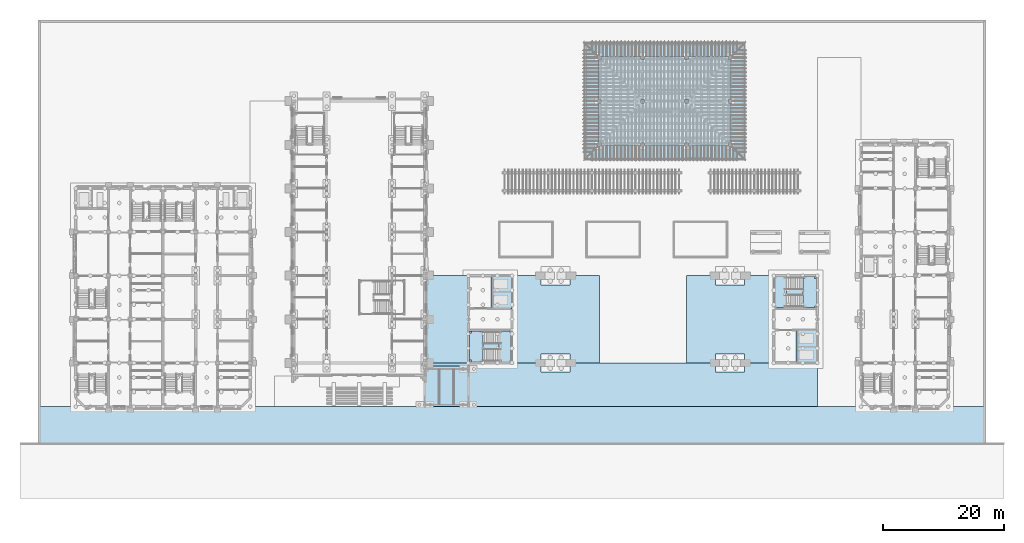
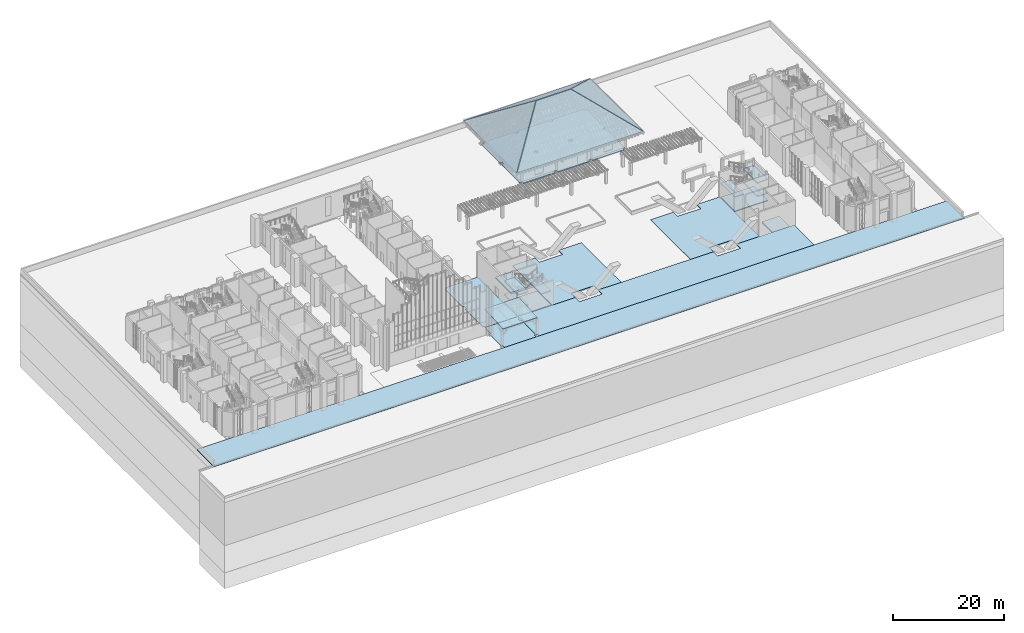
# One storey, part 26 of 84: 22 slabs, 2 elements without a shape of their own.
"""IFC4 building model written with IfcOpenShell, lengths in metres."""

from ifc_helpers import new_model, si_unit, direction, frame, origin, place, context, subcontext, project, spatial, polyline, outline, extrude, material, layer, layer_set, type_object, element, aggregate, save


model = new_model("IFC4")

# Units and contexts
model_context = context("Model", 3, precision=1e-05, world=origin(), true_north=direction((0.0, 1.0)))
body_context = subcontext(model_context, "Body", "Model", "MODEL_VIEW")
ifc_project = project(units=[si_unit("LENGTHUNIT", "METRE"), si_unit("AREAUNIT", "SQUARE_METRE"), si_unit("VOLUMEUNIT", "CUBIC_METRE"), si_unit("PLANEANGLEUNIT", "RADIAN"), si_unit("MASSUNIT", "GRAM", prefix="KILO")], contexts=[model_context])

# Site, building, storey
site_placement = place(None, origin())
site = spatial("IfcSite", under=ifc_project, at=site_placement, CompositionType="ELEMENT")
building_placement = place(site_placement, origin())
building = spatial("IfcBuilding", under=site, at=building_placement, Name="Mazhai Court Health Centre", CompositionType="ELEMENT")
storey_placement = place(building_placement, origin())
storey = spatial("IfcBuildingStorey", under=building, at=storey_placement, Name="L00", CompositionType="ELEMENT", Elevation=0.0)

# Slabs
ifc_material_1 = material(Name="CLT C24 3-ply", Category="wood")
ifc_layer_1 = layer(ifc_material_1, 0.10009765625)
ifc_layer_set_1 = layer_set([ifc_layer_1], Name="CLT C24 3-ply roof panel 100")
slab_type_1 = type_object("IfcSlabType", Name="CLT C24 3-ply roof panel 100", PredefinedType="ROOF", material=ifc_layer_set_1)
slab_1_placement = place(storey_placement, frame((90.25830078125, 47.0, 4.482177734375), z_axis=(0.0, -0.583061515545, 0.812428008558), x_axis=(1.0, 0.0, 0.0)))
element("IfcSlab", 1, at=slab_1_placement, inside=storey, type_object=slab_type_1, Name="Roof slab RV3-RS1", PredefinedType="ROOF", context=body_context, shape_type="SweptSolid", body=[
    extrude(outline(polyline([(0.0, 0.0), (26.283447265625, 0.0), (16.74169921875, 11.744730543948844), (9.541748046875, 11.744730543948844), (0.0, 0.0)])), origin(), (0.0, 0.0, -1.0), 0.10009765625),
])
slab_2_placement = place(storey_placement, frame((90.25830078125, 66.199951171875, 4.482177734375), z_axis=(0.0, 0.583061515545, 0.812428008558), x_axis=(0.630558967709, -0.630558967709, 0.452538149202)))
element("IfcSlab", 2, at=slab_2_placement, inside=storey, type_object=slab_type_1, Name="Roof slab RV3-RS2", PredefinedType="ROOF", context=body_context, shape_type="SweptSolid", body=[
    extrude(outline(polyline([(0.0, 0.0), (15.132205765849466, 8.881784197001252e-16), (19.672199544342543, 5.588179790292035), (16.5732633756478, 20.399670125918743), (0.0, 0.0)])), origin(), (0.0, 0.0, -1.0), 0.10009765625),
])
slab_3_placement = place(storey_placement, frame((99.74169921875, 56.60009765625, 11.330078125), z_axis=(-0.583061515545, 0.0, 0.812428008558), x_axis=(-0.630565382615, 0.630549248608, -0.452542753038)))
element("IfcSlab", 3, at=slab_3_placement, inside=storey, type_object=slab_type_1, Name="Roof slab RV3-RS3", PredefinedType="ROOF", context=body_context, shape_type="SweptSolid", body=[
    extrude(outline(polyline([(0.0, 0.0), (15.132051821975397, -1.3322676295501878e-15), (3.0991216419275904, 14.81145152875112), (0.0, 0.0)])), origin(), (0.0, 0.0, -1.0), 0.10009765625),
])
slab_4_placement = place(storey_placement, frame((116.60009765625, 66.1416015625, 4.482177734375), z_axis=(0.583061515545, 0.0, 0.812428008558), x_axis=(-0.630565382615, -0.630549248608, 0.452542753038)))
element("IfcSlab", 4, at=slab_4_placement, inside=storey, type_object=slab_type_1, Name="Roof slab RV3-RS4", PredefinedType="ROOF", context=body_context, shape_type="SweptSolid", body=[
    extrude(outline(polyline([(0.0, 0.0), (15.132051821975397, 1.3322676295501878e-15), (12.032930180047806, 14.81145152875112), (0.0, 0.0)])), origin(), (0.0, 0.0, -1.0), 0.10009765625),
])
ifc_material_2 = material(Name="CLT C24 5-ply", Category="wood")
ifc_layer_2 = layer(ifc_material_2, 0.179931640625)
ifc_layer_set_2 = layer_set([ifc_layer_2], Name="CLT C24 5-ply 180 roof panel")
slab_type_2 = type_object("IfcSlabType", Name="CLT C24 5-ply 180 roof panel", PredefinedType="ROOF", material=ifc_layer_set_2)
slab_5_placement = place(storey_placement, frame((63.81005859375, 6.199951171875, 4.179931640625), z_axis=(0.0, -0.055484125039, 0.998459569471), x_axis=(1.0, 0.0, 0.0)))
element("IfcSlab", 5, at=slab_5_placement, inside=storey, type_object=slab_type_2, Name="slab-AR-L00-00", PredefinedType="ROOF", context=body_context, shape_type="SweptSolid", body=[
    extrude(outline(polyline([(0.0, 0.0), (7.179931640625, 0.0), (7.179931640625, 6.710287904219531), (0.0, 6.710287904219531), (0.0, 0.0)])), origin(), (0.0, 0.0, -1.0), 0.179931640625),
])
ifc_material_3 = material(Name="Concrete M35", Category="concrete")
ifc_layer_3 = layer(ifc_material_3, 0.199951171875)
ifc_layer_set_3 = layer_set([ifc_layer_3], Name="GROUND SLAB 200 M35")
slab_type_3 = type_object("IfcSlabType", Name="GROUND SLAB 200 M35", PredefinedType="BASESLAB", material=ifc_layer_set_3)
slab_6_placement = place(storey_placement, frame((0.0, 0.0, -0.199951171875)))
element("IfcSlab", 6, at=slab_6_placement, inside=storey, type_object=slab_type_3, Name="slab-ground-V3", PredefinedType="BASESLAB", context=body_context, shape_type="SweptSolid", body=[
    extrude(outline(polyline([(107.300048828125, 49.235107421875), (107.300048828125, 49.699951171875), (106.699951171875, 49.699951171875), (106.699951171875, 49.235107421875), (100.10009765625, 49.235107421875), (100.10009765625, 49.699951171875), (99.5, 49.699951171875), (99.5, 49.235107421875), (92.89990234375, 49.235107421875), (92.89990234375, 49.699951171875), (92.43505859375, 49.699951171875), (92.43505859375, 56.300048828125), (92.89990234375, 56.300048828125), (92.89990234375, 56.89990234375), (92.43505859375, 56.89990234375), (92.43505859375, 63.5), (92.89990234375, 63.5), (92.89990234375, 63.965087890625), (99.5, 63.965087890625), (99.5, 63.5), (100.10009765625, 63.5), (100.10009765625, 63.965087890625), (106.699951171875, 63.965087890625), (106.699951171875, 63.5), (107.300048828125, 63.5), (107.300048828125, 63.965087890625), (113.89990234375, 63.965087890625), (113.89990234375, 63.5), (114.364990234375, 63.5), (114.364990234375, 56.89990234375), (113.89990234375, 56.89990234375), (113.89990234375, 56.300048828125), (114.364990234375, 56.300048828125), (114.364990234375, 49.699951171875), (113.89990234375, 49.699951171875), (113.89990234375, 49.235107421875), (107.300048828125, 49.235107421875)]), holes=[polyline([(99.5, 56.89990234375), (99.5, 56.300048828125), (100.10009765625, 56.300048828125), (100.10009765625, 56.89990234375), (99.5, 56.89990234375)]), polyline([(106.699951171875, 56.89990234375), (106.699951171875, 56.300048828125), (107.300048828125, 56.300048828125), (107.300048828125, 56.89990234375), (106.699951171875, 56.89990234375)])]), origin(), (0.0, 0.0, 1.0), 0.199951171875),
])
ifc_material_4 = material(Name="Concrete M30", Category="concrete")
ifc_layer_4 = layer(ifc_material_4, 0.1201171875)
ifc_layer_set_4 = layer_set([ifc_layer_4], Name="PAVING 120 CONCRETE M30")
slab_type_4 = type_object("IfcSlabType", Name="PAVING 120 CONCRETE M30", PredefinedType="BASESLAB", material=ifc_layer_set_4)
slab_7_placement = place(storey_placement, frame((0.0, 0.0, -0.1201171875)))
element("IfcSlab", 7, at=slab_7_placement, inside=storey, type_object=slab_type_4, Name="paving-undercroft-W", PredefinedType="BASESLAB", context=body_context, shape_type="SweptSolid", body=[
    extrude(outline(polyline([(92.60009765625, 13.39990234375), (87.800048828125, 13.39990234375), (87.800048828125, 14.89990234375), (83.0, 14.89990234375), (83.0, 13.39990234375), (78.199951171875, 13.39990234375), (78.199951171875, 27.800048828125), (83.0, 27.800048828125), (83.0, 26.300048828125), (87.800048828125, 26.300048828125), (87.800048828125, 27.800048828125), (92.60009765625, 27.800048828125), (92.60009765625, 13.39990234375)])), origin(), (0.0, 0.0, 1.0), 0.1201171875),
])
slab_8_placement = place(storey_placement, frame((0.0, 0.0, -0.1201171875)))
element("IfcSlab", 8, at=slab_8_placement, inside=storey, type_object=slab_type_4, Name="paving-undercroft-E", PredefinedType="BASESLAB", context=body_context, shape_type="SweptSolid", body=[
    extrude(outline(polyline([(121.39990234375, 13.39990234375), (116.60009765625, 13.39990234375), (116.60009765625, 14.89990234375), (111.800048828125, 14.89990234375), (111.800048828125, 13.39990234375), (107.0, 13.39990234375), (107.0, 27.800048828125), (111.800048828125, 27.800048828125), (111.800048828125, 26.300048828125), (116.60009765625, 26.300048828125), (116.60009765625, 27.800048828125), (121.39990234375, 27.800048828125), (121.39990234375, 13.39990234375)])), origin(), (0.0, 0.0, 1.0), 0.1201171875),
])
slab_9_placement = place(storey_placement, frame((0.0, 0.0, -0.1201171875)))
element("IfcSlab", 9, at=slab_9_placement, inside=storey, type_object=slab_type_4, Name="paving-arcade", PredefinedType="BASESLAB", context=body_context, shape_type="SweptSolid", body=[
    extrude(outline(polyline([(70.699951171875, 6.199951171875), (64.10009765625, 6.199951171875), (64.10009765625, 6.800048828125), (63.800048828125, 6.800048828125), (63.800048828125, 11.235107421875), (64.159912109375, 11.235107421875), (64.159912109375, 12.949951171875), (64.25, 12.949951171875), (64.25, 13.39990234375), (71.0, 13.39990234375), (71.0, 12.699951171875), (70.699951171875, 12.699951171875), (70.699951171875, 12.10009765625), (71.0, 12.10009765625), (71.0, 6.800048828125), (70.699951171875, 6.800048828125), (70.699951171875, 6.199951171875)])), origin(), (0.0, 0.0, 1.0), 0.1201171875),
])
slab_10_placement = place(storey_placement, frame((0.0, 0.0, -0.1201171875)))
element("IfcSlab", 10, at=slab_10_placement, inside=storey, type_object=slab_type_4, Name="paving-frontage", PredefinedType="BASESLAB", context=body_context, shape_type="SweptSolid", body=[
    extrude(outline(polyline([(128.60009765625, 6.199951171875), (71.300048828125, 6.199951171875), (71.300048828125, 6.800048828125), (71.0, 6.800048828125), (71.0, 12.10009765625), (71.300048828125, 12.10009765625), (71.300048828125, 12.699951171875), (71.0, 12.699951171875), (71.0, 13.39990234375), (83.0, 13.39990234375), (83.0, 11.89990234375), (87.800048828125, 11.89990234375), (87.800048828125, 13.39990234375), (111.800048828125, 13.39990234375), (111.800048828125, 11.89990234375), (116.60009765625, 11.89990234375), (116.60009765625, 13.39990234375), (128.60009765625, 13.39990234375), (128.60009765625, 6.199951171875)])), origin(), (0.0, 0.0, 1.0), 0.1201171875),
])
slab_11_placement = place(storey_placement, frame((0.0, 0.0, -0.1201171875)))
element("IfcSlab", 11, at=slab_11_placement, inside=storey, type_object=slab_type_4, Name="paving-P2", PredefinedType="BASESLAB", context=body_context, shape_type="SweptSolid", body=[
    extrude(outline(polyline([(71.0, 13.39990234375), (64.25, 13.39990234375), (64.25, 13.85009765625), (63.965087890625, 13.85009765625), (63.965087890625, 20.14990234375), (64.25, 20.14990234375), (64.25, 21.050048828125), (63.965087890625, 21.050048828125), (63.965087890625, 27.35009765625), (64.25, 27.35009765625), (64.25, 27.800048828125), (71.0, 27.800048828125), (71.0, 13.39990234375)])), origin(), (0.0, 0.0, 1.0), 0.1201171875),
])
slab_12_placement = place(storey_placement, frame((0.0, 0.0, -0.06201171875), z_axis=(0.0, -0.010001468634, 0.999949984062), x_axis=(1.0, 0.0, 0.0)))
element("IfcSlab", 12, at=slab_12_placement, inside=storey, type_object=slab_type_4, Name="paving-forecourt", PredefinedType="BASESLAB", context=body_context, shape_type="SweptSolid", body=[
    extrude(outline(polyline([(0.0, 0.0), (156.39990234375, 0.0), (156.39990234375, 6.200261283760267), (0.0, 6.200261283760267), (0.0, 0.0)])), origin(), (0.0, 0.0, -1.0), 0.1201171875),
])
ifc_material_5 = material(Name="Concrete M40", Category="concrete")
ifc_layer_5 = layer(ifc_material_5, 0.39990234375)
ifc_layer_set_5 = layer_set([ifc_layer_5], Name="RC LIFT PIT SLAB 400 M40")
slab_type_5 = type_object("IfcSlabType", Name="RC LIFT PIT SLAB 400 M40", PredefinedType="BASESLAB", material=ifc_layer_set_5)
slab_13_placement = place(storey_placement, frame((0.0, 0.0, -1.800048828125)))
element("IfcSlab", 13, at=slab_13_placement, inside=storey, type_object=slab_type_5, Name="core-C6-pit-slab", PredefinedType="BASESLAB", context=body_context, shape_type="SweptSolid", body=[
    extrude(outline(polyline([(74.75, 22.27490234375), (78.199951171875, 22.27490234375), (78.199951171875, 27.925048828125), (74.75, 27.925048828125), (74.75, 22.27490234375)])), origin(), (0.0, 0.0, 1.0), 0.400146484375),
])
slab_14_placement = place(storey_placement, frame((0.0, 0.0, -1.800048828125)))
element("IfcSlab", 14, at=slab_14_placement, inside=storey, type_object=slab_type_5, Name="core-C7-pit-slab", PredefinedType="BASESLAB", context=body_context, shape_type="SweptSolid", body=[
    extrude(outline(polyline([(125.110107421875, 13.27490234375), (128.72509765625, 13.27490234375), (128.72509765625, 18.925048828125), (125.110107421875, 18.925048828125), (125.110107421875, 13.27490234375)])), origin(), (0.0, 0.0, 1.0), 0.400146484375),
])
ifc_material_6 = material(Name="Concrete M40", Category="concrete")
ifc_layer_6 = layer(ifc_material_6, 0.199951171875)
ifc_layer_set_6 = layer_set([ifc_layer_6], Name="RC STAIR GROUND SLAB 200 M40")
slab_type_6 = type_object("IfcSlabType", Name="RC STAIR GROUND SLAB 200 M40", PredefinedType="BASESLAB", material=ifc_layer_set_6)
slab_15_placement = place(storey_placement, frame((0.0, 0.0, -0.199951171875)))
element("IfcSlab", 15, at=slab_15_placement, inside=storey, type_object=slab_type_6, Name="core-C6-stair-ground-slab", PredefinedType="BASESLAB", context=body_context, shape_type="SweptSolid", body=[
    extrude(outline(polyline([(71.1650390625, 13.56494140625), (78.074951171875, 13.56494140625), (78.074951171875, 18.675048828125), (71.1650390625, 18.675048828125), (71.1650390625, 13.56494140625)])), origin(), (0.0, 0.0, 1.0), 0.199951171875),
])
slab_16_placement = place(storey_placement, frame((0.0, 0.0, -0.199951171875)))
element("IfcSlab", 16, at=slab_16_placement, inside=storey, type_object=slab_type_6, Name="core-C7-stair-ground-slab", PredefinedType="BASESLAB", context=body_context, shape_type="SweptSolid", body=[
    extrude(outline(polyline([(121.52490234375, 22.52490234375), (128.43505859375, 22.52490234375), (128.43505859375, 27.635009765625), (121.52490234375, 27.635009765625), (121.52490234375, 22.52490234375)])), origin(), (0.0, 0.0, 1.0), 0.199951171875),
])

# Stair, slabs
ifc_material_7 = material(Name="Concrete M40", Category="concrete")
stair_type = type_object("IfcStairType", Name="RC STAIR 2000 42R", PredefinedType="DOUBLE_RETURN_STAIR", material=ifc_material_7)
stair_1_placement = place(storey_placement, origin())
stair_1 = element("IfcStair", 17, at=stair_1_placement, inside=storey, type_object=stair_type, Name="L00 Stair 6", PredefinedType="DOUBLE_RETURN_STAIR")
ifc_material_8 = material(Name="Concrete M40", Category="concrete")
ifc_layer_7 = layer(ifc_material_8, 0.199951171875)
ifc_layer_set_7 = layer_set([ifc_layer_7], Name="RC STAIR LANDING 200 M40")
slab_type_7 = type_object("IfcSlabType", Name="RC STAIR LANDING 200 M40", PredefinedType="LANDING", material=ifc_layer_set_7)
slab_17_placement = place(storey_placement, frame((0.0, 0.0, 1.449951171875)))
slab_17 = element("IfcSlab", 18, at=slab_17_placement, type_object=slab_type_7, Name="ST6 landing 1", PredefinedType="LANDING", context=body_context, shape_type="SweptSolid", body=[
    extrude(outline(polyline([(73.375, 18.675048828125), (71.1650390625, 18.675048828125), (71.1650390625, 13.56494140625), (73.375, 13.56494140625), (73.375, 18.675048828125)]), holes=[polyline([(71.264892578125, 13.655029296875), (71.47509765625, 13.655029296875), (71.47509765625, 13.864990234375), (71.264892578125, 13.864990234375), (71.264892578125, 13.655029296875)]), polyline([(71.264892578125, 18.375), (71.47509765625, 18.375), (71.47509765625, 18.5849609375), (71.264892578125, 18.5849609375), (71.264892578125, 18.375)]), polyline([(73.06494140625, 13.655029296875), (73.27490234375, 13.655029296875), (73.27490234375, 13.864990234375), (73.06494140625, 13.864990234375), (73.06494140625, 13.655029296875)]), polyline([(73.06494140625, 18.375), (73.27490234375, 18.375), (73.27490234375, 18.5849609375), (73.06494140625, 18.5849609375), (73.06494140625, 18.375)])]), origin(), (0.0, 0.0, 1.0), 0.199951171875),
])
slab_18_placement = place(storey_placement, frame((0.0, 0.0, 2.949951171875)))
slab_18 = element("IfcSlab", 19, at=slab_18_placement, type_object=slab_type_7, Name="ST6 landing 2", PredefinedType="LANDING", context=body_context, shape_type="SweptSolid", body=[
    extrude(outline(polyline([(78.074951171875, 18.675048828125), (76.074951171875, 18.675048828125), (76.074951171875, 13.56494140625), (78.074951171875, 13.56494140625), (78.074951171875, 18.675048828125)])), origin(), (0.0, 0.0, 1.0), 0.199951171875),
])
slab_19_placement = place(storey_placement, frame((0.0, 0.0, 4.449951171875)))
slab_19 = element("IfcSlab", 20, at=slab_19_placement, type_object=slab_type_7, Name="ST6 landing 3", PredefinedType="LANDING", context=body_context, shape_type="SweptSolid", body=[
    extrude(outline(polyline([(73.375, 18.675048828125), (71.1650390625, 18.675048828125), (71.1650390625, 13.56494140625), (73.375, 13.56494140625), (73.375, 18.675048828125)]), holes=[polyline([(71.264892578125, 13.655029296875), (71.47509765625, 13.655029296875), (71.47509765625, 13.864990234375), (71.264892578125, 13.864990234375), (71.264892578125, 13.655029296875)]), polyline([(71.264892578125, 18.375), (71.47509765625, 18.375), (71.47509765625, 18.5849609375), (71.264892578125, 18.5849609375), (71.264892578125, 18.375)])]), origin(), (0.0, 0.0, 1.0), 0.199951171875),
])
aggregate(stair_1, [slab_17, slab_18, slab_19])

stair_2_placement = place(storey_placement, origin())
stair_2 = element("IfcStair", 21, at=stair_2_placement, inside=storey, type_object=stair_type, Name="L00 Stair 7", PredefinedType="DOUBLE_RETURN_STAIR")
slab_20_placement = place(storey_placement, frame((0.0, 0.0, 1.449951171875)))
slab_20 = element("IfcSlab", 22, at=slab_20_placement, type_object=slab_type_7, Name="ST7 landing 1", PredefinedType="LANDING", context=body_context, shape_type="SweptSolid", body=[
    extrude(outline(polyline([(126.22509765625, 22.52490234375), (128.43505859375, 22.52490234375), (128.43505859375, 27.635009765625), (126.22509765625, 27.635009765625), (126.22509765625, 22.52490234375)]), holes=[polyline([(126.31494140625, 22.614990234375), (126.52490234375, 22.614990234375), (126.52490234375, 22.824951171875), (126.31494140625, 22.824951171875), (126.31494140625, 22.614990234375)]), polyline([(126.31494140625, 27.3349609375), (126.52490234375, 27.3349609375), (126.52490234375, 27.544921875), (126.31494140625, 27.544921875), (126.31494140625, 27.3349609375)]), polyline([(128.135009765625, 22.614990234375), (128.344970703125, 22.614990234375), (128.344970703125, 22.824951171875), (128.135009765625, 22.824951171875), (128.135009765625, 22.614990234375)]), polyline([(128.135009765625, 27.3349609375), (128.344970703125, 27.3349609375), (128.344970703125, 27.544921875), (128.135009765625, 27.544921875), (128.135009765625, 27.3349609375)])]), origin(), (0.0, 0.0, 1.0), 0.199951171875),
])
slab_21_placement = place(storey_placement, frame((0.0, 0.0, 2.949951171875)))
slab_21 = element("IfcSlab", 23, at=slab_21_placement, type_object=slab_type_7, Name="ST7 landing 2", PredefinedType="LANDING", context=body_context, shape_type="SweptSolid", body=[
    extrude(outline(polyline([(121.52490234375, 22.52490234375), (123.52490234375, 22.52490234375), (123.52490234375, 27.635009765625), (121.52490234375, 27.635009765625), (121.52490234375, 22.52490234375)])), origin(), (0.0, 0.0, 1.0), 0.199951171875),
])
slab_22_placement = place(storey_placement, frame((0.0, 0.0, 4.449951171875)))
slab_22 = element("IfcSlab", 24, at=slab_22_placement, type_object=slab_type_7, Name="ST7 landing 3", PredefinedType="LANDING", context=body_context, shape_type="SweptSolid", body=[
    extrude(outline(polyline([(126.22509765625, 22.52490234375), (128.43505859375, 22.52490234375), (128.43505859375, 27.635009765625), (126.22509765625, 27.635009765625), (126.22509765625, 22.52490234375)]), holes=[polyline([(128.135009765625, 22.614990234375), (128.344970703125, 22.614990234375), (128.344970703125, 22.824951171875), (128.135009765625, 22.824951171875), (128.135009765625, 22.614990234375)]), polyline([(128.135009765625, 27.3349609375), (128.344970703125, 27.3349609375), (128.344970703125, 27.544921875), (128.135009765625, 27.544921875), (128.135009765625, 27.3349609375)])]), origin(), (0.0, 0.0, 1.0), 0.199951171875),
])
aggregate(stair_2, [slab_20, slab_21, slab_22])

save(model, "model.ifc")
